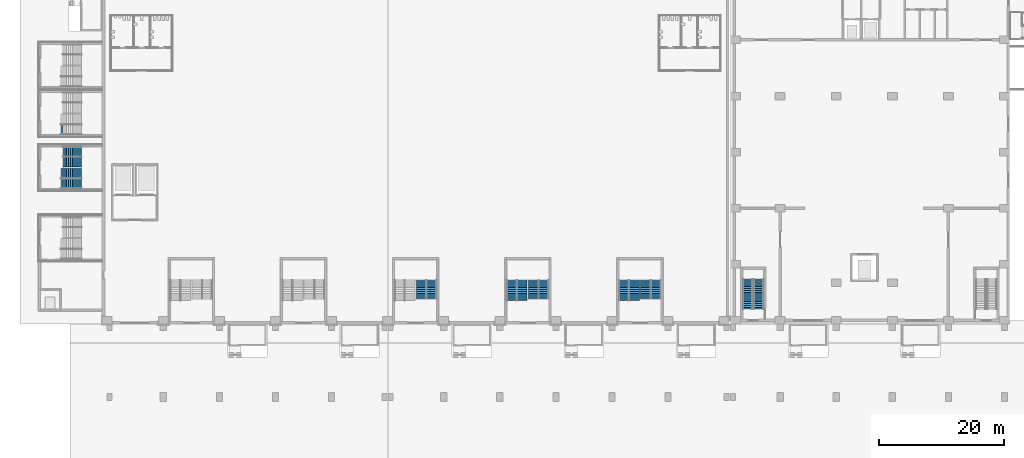
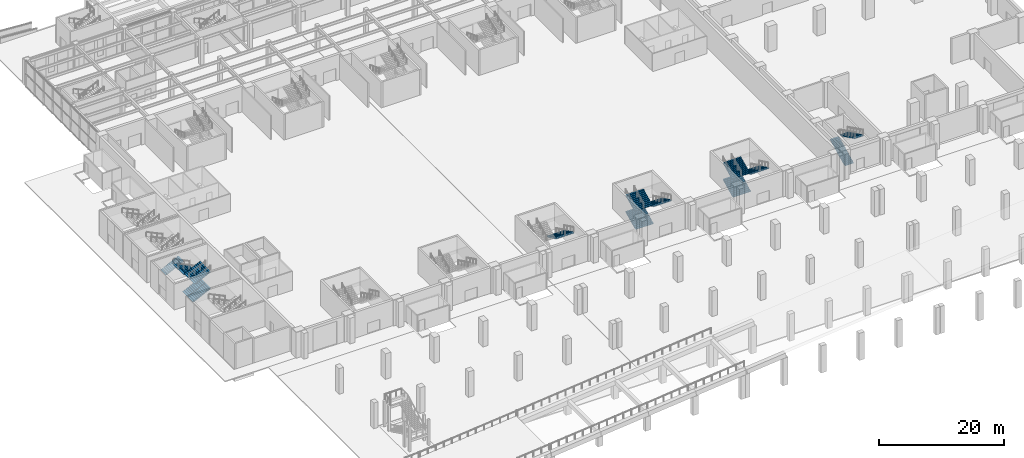
# One storey, part 55 of 77: 23 stair flights, 10 elements without a shape of their own.
"""IFC4 building model written with IfcOpenShell, lengths in metres."""

from ifc_helpers import new_model, si_unit, direction, frame, origin, place, context, subcontext, project, spatial, polyline, outline, extrude, material, type_object, element, aggregate, save


model = new_model("IFC4")

# Units and contexts
model_context = context("Model", 3, precision=1e-05, world=origin(), true_north=direction((0.0, 1.0)))
body_context = subcontext(model_context, "Body", "Model", "MODEL_VIEW")
ifc_project = project(units=[si_unit("LENGTHUNIT", "METRE"), si_unit("AREAUNIT", "SQUARE_METRE"), si_unit("VOLUMEUNIT", "CUBIC_METRE"), si_unit("PLANEANGLEUNIT", "RADIAN"), si_unit("MASSUNIT", "GRAM", prefix="KILO")], contexts=[model_context])

# Site, building, storey
site_placement = place(None, origin())
site = spatial("IfcSite", under=ifc_project, at=site_placement, CompositionType="ELEMENT")
building_placement = place(site_placement, origin())
building = spatial("IfcBuilding", under=site, at=building_placement, Name="Aravalli Gate Trade Fair Centre", CompositionType="ELEMENT")
storey_placement = place(building_placement, origin())
storey = spatial("IfcBuildingStorey", under=building, at=storey_placement, Name="L00", CompositionType="ELEMENT", Elevation=0.0)

# Stair, stair flights
ifc_material_1 = material(Name="Concrete M45", Category="concrete")
stair_type_1 = type_object("IfcStairType", Name="Congress exit stair", PredefinedType="HALF_TURN_STAIR", material=ifc_material_1)
stair_1_placement = place(storey_placement, origin())
stair_1 = element("IfcStair", 1, at=stair_1_placement, inside=storey, type_object=stair_type_1, Name="Stage Stair West L00", PredefinedType="HALF_TURN_STAIR")
stair_flight_type_1 = type_object("IfcStairFlightType", Name="Congress exit stair flight", PredefinedType="STRAIGHT", material=ifc_material_1)
stair_flight_1_placement = place(storey_placement, frame((108.800048828125, 47.800048828125, 0.0), z_axis=(0.0, 0.0, 1.0), x_axis=(0.0, 1.0, 0.0)))
stair_flight_1 = element("IfcStairFlight", 2, at=stair_flight_1_placement, type_object=stair_flight_type_1, Name="GX1 flight 1", NumberOfRisers=17, NumberOfTreads=16, PredefinedType="STRAIGHT", RiserHeight=0.147058824, TreadLength=0.3, context=body_context, shape_type="SweptSolid", body=[
    extrude(outline(polyline([(0.0, 0.0), (0.0, 0.14697265625), (0.300048828125, 0.14697265625), (0.300048828125, 0.294189453125), (0.60009765625, 0.294189453125), (0.60009765625, 0.441162109375), (0.89990234375, 0.441162109375), (0.89990234375, 0.588134765625), (1.199951171875, 0.588134765625), (1.199951171875, 0.7353515625), (1.5, 0.7353515625), (1.5, 0.88232421875), (1.800048828125, 0.88232421875), (1.800048828125, 1.029296875), (2.10009765625, 1.029296875), (2.10009765625, 1.176513671875), (2.39990234375, 1.176513671875), (2.39990234375, 1.323486328125), (2.699951171875, 1.323486328125), (2.699951171875, 1.470703125), (3.0, 1.470703125), (3.0, 1.61767578125), (3.300048828125, 1.61767578125), (3.300048828125, 1.7646484375), (3.60009765625, 1.7646484375), (3.60009765625, 1.911865234375), (3.89990234375, 1.911865234375), (3.89990234375, 2.058837890625), (4.199951171875, 2.058837890625), (4.199951171875, 2.205810546875), (4.5, 2.205810546875), (4.5, 2.35302734375), (4.800048828125, 2.35302734375), (4.800048828125, 2.5), (4.800048828125, 2.18603515625), (0.340576171875, 0.0), (0.0, 0.0)])), frame((0.0, 0.800048828125, 0.0), z_axis=(0.0, -1.0, 0.0), x_axis=(1.0, 0.0, 0.0)), (0.0, 0.0, 1.0), 1.60009765625),
])
stair_flight_2_placement = place(storey_placement, frame((110.60009765625, 52.60009765625, 2.5), z_axis=(0.0, 0.0, 1.0), x_axis=(0.0, -1.0, 0.0)))
stair_flight_2 = element("IfcStairFlight", 3, at=stair_flight_2_placement, type_object=stair_flight_type_1, Name="GX1 flight 2", NumberOfRisers=17, NumberOfTreads=16, PredefinedType="STRAIGHT", RiserHeight=0.147058824, TreadLength=0.3, context=body_context, shape_type="SweptSolid", body=[
    extrude(outline(polyline([(0.0, 0.0), (0.0, 0.14697265625), (0.300048828125, 0.14697265625), (0.300048828125, 0.294189453125), (0.60009765625, 0.294189453125), (0.60009765625, 0.441162109375), (0.89990234375, 0.441162109375), (0.89990234375, 0.588134765625), (1.199951171875, 0.588134765625), (1.199951171875, 0.7353515625), (1.5, 0.7353515625), (1.5, 0.88232421875), (1.800048828125, 0.88232421875), (1.800048828125, 1.029296875), (2.10009765625, 1.029296875), (2.10009765625, 1.176513671875), (2.39990234375, 1.176513671875), (2.39990234375, 1.323486328125), (2.699951171875, 1.323486328125), (2.699951171875, 1.470703125), (3.0, 1.470703125), (3.0, 1.61767578125), (3.300048828125, 1.61767578125), (3.300048828125, 1.7646484375), (3.60009765625, 1.7646484375), (3.60009765625, 1.911865234375), (3.89990234375, 1.911865234375), (3.89990234375, 2.058837890625), (4.199951171875, 2.058837890625), (4.199951171875, 2.205810546875), (4.5, 2.205810546875), (4.5, 2.35302734375), (4.800048828125, 2.35302734375), (4.800048828125, 2.5), (4.800048828125, 2.18603515625), (0.340576171875, 0.0), (0.0, 0.0)])), frame((0.0, 0.800048828125, 0.0), z_axis=(0.0, -1.0, 0.0), x_axis=(1.0, 0.0, 0.0)), (0.0, 0.0, 1.0), 1.60009765625),
])
aggregate(stair_1, [stair_flight_1, stair_flight_2])

# Stair, stair flight
ifc_material_2 = material(Name="Concrete M40", Category="concrete")
stair_type_2 = type_object("IfcStairType", Name="Hall exit stair, three flights", PredefinedType="HALF_TURN_STAIR", material=ifc_material_2)
stair_2_placement = place(storey_placement, origin())
stair_2 = element("IfcStair", 4, at=stair_2_placement, inside=storey, type_object=stair_type_2, Name="Exit stair ST-S06 lane A L00", PredefinedType="HALF_TURN_STAIR")
stair_flight_type_2 = type_object("IfcStairFlightType", Name="Hall exit stair flight", PredefinedType="STRAIGHT", material=ifc_material_2)
stair_flight_3_placement = place(storey_placement, frame((56.419921875, 52.449951171875, 1.7646484375), z_axis=(0.0, 0.0, 1.0), x_axis=(0.0, -1.0, 0.0)))
stair_flight_3 = element("IfcStairFlight", 5, at=stair_flight_3_placement, type_object=stair_flight_type_2, Name="ST-S06A flight 2", NumberOfRisers=11, NumberOfTreads=10, PredefinedType="STRAIGHT", RiserHeight=0.147058824, TreadLength=0.3, context=body_context, shape_type="SweptSolid", body=[
    extrude(outline(polyline([(0.0, 0.0), (0.0, 0.14697265625), (0.300048828125, 0.14697265625), (0.300048828125, 0.294189453125), (0.60009765625, 0.294189453125), (0.60009765625, 0.441162109375), (0.89990234375, 0.441162109375), (0.89990234375, 0.588134765625), (1.199951171875, 0.588134765625), (1.199951171875, 0.7353515625), (1.5, 0.7353515625), (1.5, 0.88232421875), (1.800048828125, 0.88232421875), (1.800048828125, 1.029296875), (2.10009765625, 1.029296875), (2.10009765625, 1.176513671875), (2.39990234375, 1.176513671875), (2.39990234375, 1.323486328125), (2.699951171875, 1.323486328125), (2.699951171875, 1.470703125), (3.0, 1.470703125), (3.0, 1.61767578125), (3.0, 1.3037109375), (0.340576171875, 0.0), (0.0, 0.0)])), frame((0.0, 0.81982421875, 0.0), z_axis=(0.0, -1.0, 0.0), x_axis=(1.0, 0.0, 0.0)), (0.0, 0.0, 1.0), 1.639892578125),
])
aggregate(stair_2, [stair_flight_3])

stair_3_placement = place(storey_placement, origin())
stair_3 = element("IfcStair", 6, at=stair_3_placement, inside=storey, type_object=stair_type_2, Name="Exit stair ST-S06 lane B L00", PredefinedType="HALF_TURN_STAIR")
stair_flight_4_placement = place(storey_placement, frame((58.080078125, 52.449951171875, 1.7646484375), z_axis=(0.0, 0.0, 1.0), x_axis=(0.0, -1.0, 0.0)))
stair_flight_4 = element("IfcStairFlight", 7, at=stair_flight_4_placement, type_object=stair_flight_type_2, Name="ST-S06B flight 2", NumberOfRisers=11, NumberOfTreads=10, PredefinedType="STRAIGHT", RiserHeight=0.147058824, TreadLength=0.3, context=body_context, shape_type="SweptSolid", body=[
    extrude(outline(polyline([(0.0, 0.0), (0.0, 0.14697265625), (0.300048828125, 0.14697265625), (0.300048828125, 0.294189453125), (0.60009765625, 0.294189453125), (0.60009765625, 0.441162109375), (0.89990234375, 0.441162109375), (0.89990234375, 0.588134765625), (1.199951171875, 0.588134765625), (1.199951171875, 0.7353515625), (1.5, 0.7353515625), (1.5, 0.88232421875), (1.800048828125, 0.88232421875), (1.800048828125, 1.029296875), (2.10009765625, 1.029296875), (2.10009765625, 1.176513671875), (2.39990234375, 1.176513671875), (2.39990234375, 1.323486328125), (2.699951171875, 1.323486328125), (2.699951171875, 1.470703125), (3.0, 1.470703125), (3.0, 1.61767578125), (3.0, 1.3037109375), (0.340576171875, 0.0), (0.0, 0.0)])), frame((0.0, 0.81982421875, 0.0), z_axis=(0.0, -1.0, 0.0), x_axis=(1.0, 0.0, 0.0)), (0.0, 0.0, 1.0), 1.639892578125),
])
aggregate(stair_3, [stair_flight_4])

# Stair, stair flights
stair_4_placement = place(storey_placement, origin())
stair_4 = element("IfcStair", 8, at=stair_4_placement, inside=storey, type_object=stair_type_2, Name="Exit stair ST-S08 lane A L00", PredefinedType="HALF_TURN_STAIR")
stair_flight_5_placement = place(storey_placement, frame((70.919921875, 49.14990234375, 0.0), z_axis=(0.0, 0.0, 1.0), x_axis=(0.0, 1.0, 0.0)))
stair_flight_5 = element("IfcStairFlight", 9, at=stair_flight_5_placement, type_object=stair_flight_type_2, Name="ST-S08A flight 1", NumberOfRisers=12, NumberOfTreads=11, PredefinedType="STRAIGHT", RiserHeight=0.147058824, TreadLength=0.3, context=body_context, shape_type="SweptSolid", body=[
    extrude(outline(polyline([(0.0, 0.0), (0.0, 0.14697265625), (0.300048828125, 0.14697265625), (0.300048828125, 0.294189453125), (0.60009765625, 0.294189453125), (0.60009765625, 0.441162109375), (0.89990234375, 0.441162109375), (0.89990234375, 0.588134765625), (1.199951171875, 0.588134765625), (1.199951171875, 0.7353515625), (1.5, 0.7353515625), (1.5, 0.88232421875), (1.800048828125, 0.88232421875), (1.800048828125, 1.029296875), (2.10009765625, 1.029296875), (2.10009765625, 1.176513671875), (2.39990234375, 1.176513671875), (2.39990234375, 1.323486328125), (2.699951171875, 1.323486328125), (2.699951171875, 1.470703125), (3.0, 1.470703125), (3.0, 1.61767578125), (3.300048828125, 1.61767578125), (3.300048828125, 1.7646484375), (3.300048828125, 1.45068359375), (0.340576171875, 0.0), (0.0, 0.0)])), frame((0.0, 0.81982421875, 0.0), z_axis=(0.0, -1.0, 0.0), x_axis=(1.0, 0.0, 0.0)), (0.0, 0.0, 1.0), 1.639892578125),
])
stair_flight_6_placement = place(storey_placement, frame((74.419921875, 52.449951171875, 1.7646484375), z_axis=(0.0, 0.0, 1.0), x_axis=(0.0, -1.0, 0.0)))
stair_flight_6 = element("IfcStairFlight", 10, at=stair_flight_6_placement, type_object=stair_flight_type_2, Name="ST-S08A flight 2", NumberOfRisers=11, NumberOfTreads=10, PredefinedType="STRAIGHT", RiserHeight=0.147058824, TreadLength=0.3, context=body_context, shape_type="SweptSolid", body=[
    extrude(outline(polyline([(0.0, 0.0), (0.0, 0.14697265625), (0.300048828125, 0.14697265625), (0.300048828125, 0.294189453125), (0.60009765625, 0.294189453125), (0.60009765625, 0.441162109375), (0.89990234375, 0.441162109375), (0.89990234375, 0.588134765625), (1.199951171875, 0.588134765625), (1.199951171875, 0.7353515625), (1.5, 0.7353515625), (1.5, 0.88232421875), (1.800048828125, 0.88232421875), (1.800048828125, 1.029296875), (2.10009765625, 1.029296875), (2.10009765625, 1.176513671875), (2.39990234375, 1.176513671875), (2.39990234375, 1.323486328125), (2.699951171875, 1.323486328125), (2.699951171875, 1.470703125), (3.0, 1.470703125), (3.0, 1.61767578125), (3.0, 1.3037109375), (0.340576171875, 0.0), (0.0, 0.0)])), frame((0.0, 0.81982421875, 0.0), z_axis=(0.0, -1.0, 0.0), x_axis=(1.0, 0.0, 0.0)), (0.0, 0.0, 1.0), 1.639892578125),
])
stair_flight_7_placement = place(storey_placement, frame((70.919921875, 49.449951171875, 3.38232421875), z_axis=(0.0, 0.0, 1.0), x_axis=(0.0, 1.0, 0.0)))
stair_flight_7 = element("IfcStairFlight", 11, at=stair_flight_7_placement, type_object=stair_flight_type_2, Name="ST-S08A flight 3", NumberOfRisers=11, NumberOfTreads=10, PredefinedType="STRAIGHT", RiserHeight=0.147058824, TreadLength=0.3, context=body_context, shape_type="SweptSolid", body=[
    extrude(outline(polyline([(0.0, 0.0), (0.0, 0.14697265625), (0.300048828125, 0.14697265625), (0.300048828125, 0.294189453125), (0.60009765625, 0.294189453125), (0.60009765625, 0.441162109375), (0.89990234375, 0.441162109375), (0.89990234375, 0.588134765625), (1.199951171875, 0.588134765625), (1.199951171875, 0.7353515625), (1.5, 0.7353515625), (1.5, 0.88232421875), (1.800048828125, 0.88232421875), (1.800048828125, 1.029296875), (2.10009765625, 1.029296875), (2.10009765625, 1.176513671875), (2.39990234375, 1.176513671875), (2.39990234375, 1.323486328125), (2.699951171875, 1.323486328125), (2.699951171875, 1.470703125), (3.0, 1.470703125), (3.0, 1.61767578125), (3.0, 1.3037109375), (0.340576171875, 0.0), (0.0, 0.0)])), frame((0.0, 0.81982421875, 0.0), z_axis=(0.0, -1.0, 0.0), x_axis=(1.0, 0.0, 0.0)), (0.0, 0.0, 1.0), 1.639892578125),
])
aggregate(stair_4, [stair_flight_5, stair_flight_6, stair_flight_7])

stair_5_placement = place(storey_placement, origin())
stair_5 = element("IfcStair", 12, at=stair_5_placement, inside=storey, type_object=stair_type_2, Name="Exit stair ST-S08 lane B L00", PredefinedType="HALF_TURN_STAIR")
stair_flight_8_placement = place(storey_placement, frame((72.580078125, 49.14990234375, 0.0), z_axis=(0.0, 0.0, 1.0), x_axis=(0.0, 1.0, 0.0)))
stair_flight_8 = element("IfcStairFlight", 13, at=stair_flight_8_placement, type_object=stair_flight_type_2, Name="ST-S08B flight 1", NumberOfRisers=12, NumberOfTreads=11, PredefinedType="STRAIGHT", RiserHeight=0.147058824, TreadLength=0.3, context=body_context, shape_type="SweptSolid", body=[
    extrude(outline(polyline([(0.0, 0.0), (0.0, 0.14697265625), (0.300048828125, 0.14697265625), (0.300048828125, 0.294189453125), (0.60009765625, 0.294189453125), (0.60009765625, 0.441162109375), (0.89990234375, 0.441162109375), (0.89990234375, 0.588134765625), (1.199951171875, 0.588134765625), (1.199951171875, 0.7353515625), (1.5, 0.7353515625), (1.5, 0.88232421875), (1.800048828125, 0.88232421875), (1.800048828125, 1.029296875), (2.10009765625, 1.029296875), (2.10009765625, 1.176513671875), (2.39990234375, 1.176513671875), (2.39990234375, 1.323486328125), (2.699951171875, 1.323486328125), (2.699951171875, 1.470703125), (3.0, 1.470703125), (3.0, 1.61767578125), (3.300048828125, 1.61767578125), (3.300048828125, 1.7646484375), (3.300048828125, 1.45068359375), (0.340576171875, 0.0), (0.0, 0.0)])), frame((0.0, 0.81982421875, 0.0), z_axis=(0.0, -1.0, 0.0), x_axis=(1.0, 0.0, 0.0)), (0.0, 0.0, 1.0), 1.639892578125),
])
stair_flight_9_placement = place(storey_placement, frame((76.080078125, 52.449951171875, 1.7646484375), z_axis=(0.0, 0.0, 1.0), x_axis=(0.0, -1.0, 0.0)))
stair_flight_9 = element("IfcStairFlight", 14, at=stair_flight_9_placement, type_object=stair_flight_type_2, Name="ST-S08B flight 2", NumberOfRisers=11, NumberOfTreads=10, PredefinedType="STRAIGHT", RiserHeight=0.147058824, TreadLength=0.3, context=body_context, shape_type="SweptSolid", body=[
    extrude(outline(polyline([(0.0, 0.0), (0.0, 0.14697265625), (0.300048828125, 0.14697265625), (0.300048828125, 0.294189453125), (0.60009765625, 0.294189453125), (0.60009765625, 0.441162109375), (0.89990234375, 0.441162109375), (0.89990234375, 0.588134765625), (1.199951171875, 0.588134765625), (1.199951171875, 0.7353515625), (1.5, 0.7353515625), (1.5, 0.88232421875), (1.800048828125, 0.88232421875), (1.800048828125, 1.029296875), (2.10009765625, 1.029296875), (2.10009765625, 1.176513671875), (2.39990234375, 1.176513671875), (2.39990234375, 1.323486328125), (2.699951171875, 1.323486328125), (2.699951171875, 1.470703125), (3.0, 1.470703125), (3.0, 1.61767578125), (3.0, 1.3037109375), (0.340576171875, 0.0), (0.0, 0.0)])), frame((0.0, 0.81982421875, 0.0), z_axis=(0.0, -1.0, 0.0), x_axis=(1.0, 0.0, 0.0)), (0.0, 0.0, 1.0), 1.639892578125),
])
stair_flight_10_placement = place(storey_placement, frame((72.580078125, 49.449951171875, 3.38232421875), z_axis=(0.0, 0.0, 1.0), x_axis=(0.0, 1.0, 0.0)))
stair_flight_10 = element("IfcStairFlight", 15, at=stair_flight_10_placement, type_object=stair_flight_type_2, Name="ST-S08B flight 3", NumberOfRisers=11, NumberOfTreads=10, PredefinedType="STRAIGHT", RiserHeight=0.147058824, TreadLength=0.3, context=body_context, shape_type="SweptSolid", body=[
    extrude(outline(polyline([(0.0, 0.0), (0.0, 0.14697265625), (0.300048828125, 0.14697265625), (0.300048828125, 0.294189453125), (0.60009765625, 0.294189453125), (0.60009765625, 0.441162109375), (0.89990234375, 0.441162109375), (0.89990234375, 0.588134765625), (1.199951171875, 0.588134765625), (1.199951171875, 0.7353515625), (1.5, 0.7353515625), (1.5, 0.88232421875), (1.800048828125, 0.88232421875), (1.800048828125, 1.029296875), (2.10009765625, 1.029296875), (2.10009765625, 1.176513671875), (2.39990234375, 1.176513671875), (2.39990234375, 1.323486328125), (2.699951171875, 1.323486328125), (2.699951171875, 1.470703125), (3.0, 1.470703125), (3.0, 1.61767578125), (3.0, 1.3037109375), (0.340576171875, 0.0), (0.0, 0.0)])), frame((0.0, 0.81982421875, 0.0), z_axis=(0.0, -1.0, 0.0), x_axis=(1.0, 0.0, 0.0)), (0.0, 0.0, 1.0), 1.639892578125),
])
aggregate(stair_5, [stair_flight_8, stair_flight_9, stair_flight_10])

stair_6_placement = place(storey_placement, origin())
stair_6 = element("IfcStair", 16, at=stair_6_placement, inside=storey, type_object=stair_type_2, Name="Exit stair ST-S10 lane A L00", PredefinedType="HALF_TURN_STAIR")
stair_flight_11_placement = place(storey_placement, frame((88.919921875, 49.14990234375, 0.0), z_axis=(0.0, 0.0, 1.0), x_axis=(0.0, 1.0, 0.0)))
stair_flight_11 = element("IfcStairFlight", 17, at=stair_flight_11_placement, type_object=stair_flight_type_2, Name="ST-S10A flight 1", NumberOfRisers=12, NumberOfTreads=11, PredefinedType="STRAIGHT", RiserHeight=0.147058824, TreadLength=0.3, context=body_context, shape_type="SweptSolid", body=[
    extrude(outline(polyline([(0.0, 0.0), (0.0, 0.14697265625), (0.300048828125, 0.14697265625), (0.300048828125, 0.294189453125), (0.60009765625, 0.294189453125), (0.60009765625, 0.441162109375), (0.89990234375, 0.441162109375), (0.89990234375, 0.588134765625), (1.199951171875, 0.588134765625), (1.199951171875, 0.7353515625), (1.5, 0.7353515625), (1.5, 0.88232421875), (1.800048828125, 0.88232421875), (1.800048828125, 1.029296875), (2.10009765625, 1.029296875), (2.10009765625, 1.176513671875), (2.39990234375, 1.176513671875), (2.39990234375, 1.323486328125), (2.699951171875, 1.323486328125), (2.699951171875, 1.470703125), (3.0, 1.470703125), (3.0, 1.61767578125), (3.300048828125, 1.61767578125), (3.300048828125, 1.7646484375), (3.300048828125, 1.45068359375), (0.340576171875, 0.0), (0.0, 0.0)])), frame((0.0, 0.81982421875, 0.0), z_axis=(0.0, -1.0, 0.0), x_axis=(1.0, 0.0, 0.0)), (0.0, 0.0, 1.0), 1.639892578125),
])
stair_flight_12_placement = place(storey_placement, frame((92.419921875, 52.449951171875, 1.7646484375), z_axis=(0.0, 0.0, 1.0), x_axis=(0.0, -1.0, 0.0)))
stair_flight_12 = element("IfcStairFlight", 18, at=stair_flight_12_placement, type_object=stair_flight_type_2, Name="ST-S10A flight 2", NumberOfRisers=11, NumberOfTreads=10, PredefinedType="STRAIGHT", RiserHeight=0.147058824, TreadLength=0.3, context=body_context, shape_type="SweptSolid", body=[
    extrude(outline(polyline([(0.0, 0.0), (0.0, 0.14697265625), (0.300048828125, 0.14697265625), (0.300048828125, 0.294189453125), (0.60009765625, 0.294189453125), (0.60009765625, 0.441162109375), (0.89990234375, 0.441162109375), (0.89990234375, 0.588134765625), (1.199951171875, 0.588134765625), (1.199951171875, 0.7353515625), (1.5, 0.7353515625), (1.5, 0.88232421875), (1.800048828125, 0.88232421875), (1.800048828125, 1.029296875), (2.10009765625, 1.029296875), (2.10009765625, 1.176513671875), (2.39990234375, 1.176513671875), (2.39990234375, 1.323486328125), (2.699951171875, 1.323486328125), (2.699951171875, 1.470703125), (3.0, 1.470703125), (3.0, 1.61767578125), (3.0, 1.3037109375), (0.340576171875, 0.0), (0.0, 0.0)])), frame((0.0, 0.81982421875, 0.0), z_axis=(0.0, -1.0, 0.0), x_axis=(1.0, 0.0, 0.0)), (0.0, 0.0, 1.0), 1.639892578125),
])
stair_flight_13_placement = place(storey_placement, frame((88.919921875, 49.449951171875, 3.38232421875), z_axis=(0.0, 0.0, 1.0), x_axis=(0.0, 1.0, 0.0)))
stair_flight_13 = element("IfcStairFlight", 19, at=stair_flight_13_placement, type_object=stair_flight_type_2, Name="ST-S10A flight 3", NumberOfRisers=11, NumberOfTreads=10, PredefinedType="STRAIGHT", RiserHeight=0.147058824, TreadLength=0.3, context=body_context, shape_type="SweptSolid", body=[
    extrude(outline(polyline([(0.0, 0.0), (0.0, 0.14697265625), (0.300048828125, 0.14697265625), (0.300048828125, 0.294189453125), (0.60009765625, 0.294189453125), (0.60009765625, 0.441162109375), (0.89990234375, 0.441162109375), (0.89990234375, 0.588134765625), (1.199951171875, 0.588134765625), (1.199951171875, 0.7353515625), (1.5, 0.7353515625), (1.5, 0.88232421875), (1.800048828125, 0.88232421875), (1.800048828125, 1.029296875), (2.10009765625, 1.029296875), (2.10009765625, 1.176513671875), (2.39990234375, 1.176513671875), (2.39990234375, 1.323486328125), (2.699951171875, 1.323486328125), (2.699951171875, 1.470703125), (3.0, 1.470703125), (3.0, 1.61767578125), (3.0, 1.3037109375), (0.340576171875, 0.0), (0.0, 0.0)])), frame((0.0, 0.81982421875, 0.0), z_axis=(0.0, -1.0, 0.0), x_axis=(1.0, 0.0, 0.0)), (0.0, 0.0, 1.0), 1.639892578125),
])
aggregate(stair_6, [stair_flight_11, stair_flight_12, stair_flight_13])

stair_7_placement = place(storey_placement, origin())
stair_7 = element("IfcStair", 20, at=stair_7_placement, inside=storey, type_object=stair_type_2, Name="Exit stair ST-S10 lane B L00", PredefinedType="HALF_TURN_STAIR")
stair_flight_14_placement = place(storey_placement, frame((90.580078125, 49.14990234375, 0.0), z_axis=(0.0, 0.0, 1.0), x_axis=(0.0, 1.0, 0.0)))
stair_flight_14 = element("IfcStairFlight", 21, at=stair_flight_14_placement, type_object=stair_flight_type_2, Name="ST-S10B flight 1", NumberOfRisers=12, NumberOfTreads=11, PredefinedType="STRAIGHT", RiserHeight=0.147058824, TreadLength=0.3, context=body_context, shape_type="SweptSolid", body=[
    extrude(outline(polyline([(0.0, 0.0), (0.0, 0.14697265625), (0.300048828125, 0.14697265625), (0.300048828125, 0.294189453125), (0.60009765625, 0.294189453125), (0.60009765625, 0.441162109375), (0.89990234375, 0.441162109375), (0.89990234375, 0.588134765625), (1.199951171875, 0.588134765625), (1.199951171875, 0.7353515625), (1.5, 0.7353515625), (1.5, 0.88232421875), (1.800048828125, 0.88232421875), (1.800048828125, 1.029296875), (2.10009765625, 1.029296875), (2.10009765625, 1.176513671875), (2.39990234375, 1.176513671875), (2.39990234375, 1.323486328125), (2.699951171875, 1.323486328125), (2.699951171875, 1.470703125), (3.0, 1.470703125), (3.0, 1.61767578125), (3.300048828125, 1.61767578125), (3.300048828125, 1.7646484375), (3.300048828125, 1.45068359375), (0.340576171875, 0.0), (0.0, 0.0)])), frame((0.0, 0.81982421875, 0.0), z_axis=(0.0, -1.0, 0.0), x_axis=(1.0, 0.0, 0.0)), (0.0, 0.0, 1.0), 1.639892578125),
])
stair_flight_15_placement = place(storey_placement, frame((94.080078125, 52.449951171875, 1.7646484375), z_axis=(0.0, 0.0, 1.0), x_axis=(0.0, -1.0, 0.0)))
stair_flight_15 = element("IfcStairFlight", 22, at=stair_flight_15_placement, type_object=stair_flight_type_2, Name="ST-S10B flight 2", NumberOfRisers=11, NumberOfTreads=10, PredefinedType="STRAIGHT", RiserHeight=0.147058824, TreadLength=0.3, context=body_context, shape_type="SweptSolid", body=[
    extrude(outline(polyline([(0.0, 0.0), (0.0, 0.14697265625), (0.300048828125, 0.14697265625), (0.300048828125, 0.294189453125), (0.60009765625, 0.294189453125), (0.60009765625, 0.441162109375), (0.89990234375, 0.441162109375), (0.89990234375, 0.588134765625), (1.199951171875, 0.588134765625), (1.199951171875, 0.7353515625), (1.5, 0.7353515625), (1.5, 0.88232421875), (1.800048828125, 0.88232421875), (1.800048828125, 1.029296875), (2.10009765625, 1.029296875), (2.10009765625, 1.176513671875), (2.39990234375, 1.176513671875), (2.39990234375, 1.323486328125), (2.699951171875, 1.323486328125), (2.699951171875, 1.470703125), (3.0, 1.470703125), (3.0, 1.61767578125), (3.0, 1.3037109375), (0.340576171875, 0.0), (0.0, 0.0)])), frame((0.0, 0.81982421875, 0.0), z_axis=(0.0, -1.0, 0.0), x_axis=(1.0, 0.0, 0.0)), (0.0, 0.0, 1.0), 1.639892578125),
])
stair_flight_16_placement = place(storey_placement, frame((90.580078125, 49.449951171875, 3.38232421875), z_axis=(0.0, 0.0, 1.0), x_axis=(0.0, 1.0, 0.0)))
stair_flight_16 = element("IfcStairFlight", 23, at=stair_flight_16_placement, type_object=stair_flight_type_2, Name="ST-S10B flight 3", NumberOfRisers=11, NumberOfTreads=10, PredefinedType="STRAIGHT", RiserHeight=0.147058824, TreadLength=0.3, context=body_context, shape_type="SweptSolid", body=[
    extrude(outline(polyline([(0.0, 0.0), (0.0, 0.14697265625), (0.300048828125, 0.14697265625), (0.300048828125, 0.294189453125), (0.60009765625, 0.294189453125), (0.60009765625, 0.441162109375), (0.89990234375, 0.441162109375), (0.89990234375, 0.588134765625), (1.199951171875, 0.588134765625), (1.199951171875, 0.7353515625), (1.5, 0.7353515625), (1.5, 0.88232421875), (1.800048828125, 0.88232421875), (1.800048828125, 1.029296875), (2.10009765625, 1.029296875), (2.10009765625, 1.176513671875), (2.39990234375, 1.176513671875), (2.39990234375, 1.323486328125), (2.699951171875, 1.323486328125), (2.699951171875, 1.470703125), (3.0, 1.470703125), (3.0, 1.61767578125), (3.0, 1.3037109375), (0.340576171875, 0.0), (0.0, 0.0)])), frame((0.0, 0.81982421875, 0.0), z_axis=(0.0, -1.0, 0.0), x_axis=(1.0, 0.0, 0.0)), (0.0, 0.0, 1.0), 1.639892578125),
])
aggregate(stair_7, [stair_flight_14, stair_flight_15, stair_flight_16])

# Stair, stair flight
stair_8_placement = place(storey_placement, origin())
stair_8 = element("IfcStair", 24, at=stair_8_placement, inside=storey, type_object=stair_type_2, Name="Exit stair ST-W2 lane A L00", PredefinedType="HALF_TURN_STAIR")
stair_flight_17_placement = place(storey_placement, frame((-1.39990234375, 76.6201171875, 0.0), z_axis=(0.0, 0.0, 1.0), x_axis=(1.0, 0.0, 0.0)))
stair_flight_17 = element("IfcStairFlight", 25, at=stair_flight_17_placement, type_object=stair_flight_type_2, Name="ST-W2A flight 1", NumberOfRisers=12, NumberOfTreads=11, PredefinedType="STRAIGHT", RiserHeight=0.147058824, TreadLength=0.3, context=body_context, shape_type="SweptSolid", body=[
    extrude(outline(polyline([(0.0, 0.0), (0.0, 0.14697265625), (0.300048828125, 0.14697265625), (0.300048828125, 0.294189453125), (0.60009765625, 0.294189453125), (0.60009765625, 0.441162109375), (0.89990234375, 0.441162109375), (0.89990234375, 0.588134765625), (1.199951171875, 0.588134765625), (1.199951171875, 0.7353515625), (1.5, 0.7353515625), (1.5, 0.88232421875), (1.800048828125, 0.88232421875), (1.800048828125, 1.029296875), (2.10009765625, 1.029296875), (2.10009765625, 1.176513671875), (2.39990234375, 1.176513671875), (2.39990234375, 1.323486328125), (2.699951171875, 1.323486328125), (2.699951171875, 1.470703125), (3.0, 1.470703125), (3.0, 1.61767578125), (3.300048828125, 1.61767578125), (3.300048828125, 1.7646484375), (3.300048828125, 1.45068359375), (0.340576171875, 0.0), (0.0, 0.0)])), frame((0.0, 0.81982421875, 0.0), z_axis=(0.0, -1.0, 0.0), x_axis=(1.0, 0.0, 0.0)), (0.0, 0.0, 1.0), 1.639892578125),
])
aggregate(stair_8, [stair_flight_17])

# Stair, stair flights
stair_9_placement = place(storey_placement, origin())
stair_9 = element("IfcStair", 26, at=stair_9_placement, inside=storey, type_object=stair_type_2, Name="Exit stair ST-W4 lane A L00", PredefinedType="HALF_TURN_STAIR")
stair_flight_18_placement = place(storey_placement, frame((-1.39990234375, 67.919921875, 0.0), z_axis=(0.0, 0.0, 1.0), x_axis=(1.0, 0.0, 0.0)))
stair_flight_18 = element("IfcStairFlight", 27, at=stair_flight_18_placement, type_object=stair_flight_type_2, Name="ST-W4A flight 1", NumberOfRisers=12, NumberOfTreads=11, PredefinedType="STRAIGHT", RiserHeight=0.147058824, TreadLength=0.3, context=body_context, shape_type="SweptSolid", body=[
    extrude(outline(polyline([(0.0, 0.0), (0.0, 0.14697265625), (0.300048828125, 0.14697265625), (0.300048828125, 0.294189453125), (0.60009765625, 0.294189453125), (0.60009765625, 0.441162109375), (0.89990234375, 0.441162109375), (0.89990234375, 0.588134765625), (1.199951171875, 0.588134765625), (1.199951171875, 0.7353515625), (1.5, 0.7353515625), (1.5, 0.88232421875), (1.800048828125, 0.88232421875), (1.800048828125, 1.029296875), (2.10009765625, 1.029296875), (2.10009765625, 1.176513671875), (2.39990234375, 1.176513671875), (2.39990234375, 1.323486328125), (2.699951171875, 1.323486328125), (2.699951171875, 1.470703125), (3.0, 1.470703125), (3.0, 1.61767578125), (3.300048828125, 1.61767578125), (3.300048828125, 1.7646484375), (3.300048828125, 1.45068359375), (0.340576171875, 0.0), (0.0, 0.0)])), frame((0.0, 0.81982421875, 0.0), z_axis=(0.0, -1.0, 0.0), x_axis=(1.0, 0.0, 0.0)), (0.0, 0.0, 1.0), 1.639892578125),
])
stair_flight_19_placement = place(storey_placement, frame((1.89990234375, 71.419921875, 1.7646484375), z_axis=(0.0, 0.0, 1.0), x_axis=(-1.0, 0.0, 0.0)))
stair_flight_19 = element("IfcStairFlight", 28, at=stair_flight_19_placement, type_object=stair_flight_type_2, Name="ST-W4A flight 2", NumberOfRisers=11, NumberOfTreads=10, PredefinedType="STRAIGHT", RiserHeight=0.147058824, TreadLength=0.3, context=body_context, shape_type="SweptSolid", body=[
    extrude(outline(polyline([(0.0, 0.0), (0.0, 0.14697265625), (0.300048828125, 0.14697265625), (0.300048828125, 0.294189453125), (0.60009765625, 0.294189453125), (0.60009765625, 0.441162109375), (0.89990234375, 0.441162109375), (0.89990234375, 0.588134765625), (1.199951171875, 0.588134765625), (1.199951171875, 0.7353515625), (1.5, 0.7353515625), (1.5, 0.88232421875), (1.800048828125, 0.88232421875), (1.800048828125, 1.029296875), (2.10009765625, 1.029296875), (2.10009765625, 1.176513671875), (2.39990234375, 1.176513671875), (2.39990234375, 1.323486328125), (2.699951171875, 1.323486328125), (2.699951171875, 1.470703125), (3.0, 1.470703125), (3.0, 1.61767578125), (3.0, 1.3037109375), (0.340576171875, 0.0), (0.0, 0.0)])), frame((0.0, 0.81982421875, 0.0), z_axis=(0.0, -1.0, 0.0), x_axis=(1.0, 0.0, 0.0)), (0.0, 0.0, 1.0), 1.639892578125),
])
stair_flight_20_placement = place(storey_placement, frame((-1.10009765625, 67.919921875, 3.38232421875), z_axis=(0.0, 0.0, 1.0), x_axis=(1.0, 0.0, 0.0)))
stair_flight_20 = element("IfcStairFlight", 29, at=stair_flight_20_placement, type_object=stair_flight_type_2, Name="ST-W4A flight 3", NumberOfRisers=11, NumberOfTreads=10, PredefinedType="STRAIGHT", RiserHeight=0.147058824, TreadLength=0.3, context=body_context, shape_type="SweptSolid", body=[
    extrude(outline(polyline([(0.0, 0.0), (0.0, 0.14697265625), (0.300048828125, 0.14697265625), (0.300048828125, 0.294189453125), (0.60009765625, 0.294189453125), (0.60009765625, 0.441162109375), (0.89990234375, 0.441162109375), (0.89990234375, 0.588134765625), (1.199951171875, 0.588134765625), (1.199951171875, 0.7353515625), (1.5, 0.7353515625), (1.5, 0.88232421875), (1.800048828125, 0.88232421875), (1.800048828125, 1.029296875), (2.10009765625, 1.029296875), (2.10009765625, 1.176513671875), (2.39990234375, 1.176513671875), (2.39990234375, 1.323486328125), (2.699951171875, 1.323486328125), (2.699951171875, 1.470703125), (3.0, 1.470703125), (3.0, 1.61767578125), (3.0, 1.3037109375), (0.340576171875, 0.0), (0.0, 0.0)])), frame((0.0, 0.81982421875, 0.0), z_axis=(0.0, -1.0, 0.0), x_axis=(1.0, 0.0, 0.0)), (0.0, 0.0, 1.0), 1.639892578125),
])
aggregate(stair_9, [stair_flight_18, stair_flight_19, stair_flight_20])

stair_10_placement = place(storey_placement, origin())
stair_10 = element("IfcStair", 30, at=stair_10_placement, inside=storey, type_object=stair_type_2, Name="Exit stair ST-W4 lane B L00", PredefinedType="HALF_TURN_STAIR")
stair_flight_21_placement = place(storey_placement, frame((-1.39990234375, 69.580078125, 0.0), z_axis=(0.0, 0.0, 1.0), x_axis=(1.0, 0.0, 0.0)))
stair_flight_21 = element("IfcStairFlight", 31, at=stair_flight_21_placement, type_object=stair_flight_type_2, Name="ST-W4B flight 1", NumberOfRisers=12, NumberOfTreads=11, PredefinedType="STRAIGHT", RiserHeight=0.147058824, TreadLength=0.3, context=body_context, shape_type="SweptSolid", body=[
    extrude(outline(polyline([(0.0, 0.0), (0.0, 0.14697265625), (0.300048828125, 0.14697265625), (0.300048828125, 0.294189453125), (0.60009765625, 0.294189453125), (0.60009765625, 0.441162109375), (0.89990234375, 0.441162109375), (0.89990234375, 0.588134765625), (1.199951171875, 0.588134765625), (1.199951171875, 0.7353515625), (1.5, 0.7353515625), (1.5, 0.88232421875), (1.800048828125, 0.88232421875), (1.800048828125, 1.029296875), (2.10009765625, 1.029296875), (2.10009765625, 1.176513671875), (2.39990234375, 1.176513671875), (2.39990234375, 1.323486328125), (2.699951171875, 1.323486328125), (2.699951171875, 1.470703125), (3.0, 1.470703125), (3.0, 1.61767578125), (3.300048828125, 1.61767578125), (3.300048828125, 1.7646484375), (3.300048828125, 1.45068359375), (0.340576171875, 0.0), (0.0, 0.0)])), frame((0.0, 0.81982421875, 0.0), z_axis=(0.0, -1.0, 0.0), x_axis=(1.0, 0.0, 0.0)), (0.0, 0.0, 1.0), 1.639892578125),
])
stair_flight_22_placement = place(storey_placement, frame((1.89990234375, 73.080078125, 1.7646484375), z_axis=(0.0, 0.0, 1.0), x_axis=(-1.0, 0.0, 0.0)))
stair_flight_22 = element("IfcStairFlight", 32, at=stair_flight_22_placement, type_object=stair_flight_type_2, Name="ST-W4B flight 2", NumberOfRisers=11, NumberOfTreads=10, PredefinedType="STRAIGHT", RiserHeight=0.147058824, TreadLength=0.3, context=body_context, shape_type="SweptSolid", body=[
    extrude(outline(polyline([(0.0, 0.0), (0.0, 0.14697265625), (0.300048828125, 0.14697265625), (0.300048828125, 0.294189453125), (0.60009765625, 0.294189453125), (0.60009765625, 0.441162109375), (0.89990234375, 0.441162109375), (0.89990234375, 0.588134765625), (1.199951171875, 0.588134765625), (1.199951171875, 0.7353515625), (1.5, 0.7353515625), (1.5, 0.88232421875), (1.800048828125, 0.88232421875), (1.800048828125, 1.029296875), (2.10009765625, 1.029296875), (2.10009765625, 1.176513671875), (2.39990234375, 1.176513671875), (2.39990234375, 1.323486328125), (2.699951171875, 1.323486328125), (2.699951171875, 1.470703125), (3.0, 1.470703125), (3.0, 1.61767578125), (3.0, 1.3037109375), (0.340576171875, 0.0), (0.0, 0.0)])), frame((0.0, 0.81982421875, 0.0), z_axis=(0.0, -1.0, 0.0), x_axis=(1.0, 0.0, 0.0)), (0.0, 0.0, 1.0), 1.639892578125),
])
stair_flight_23_placement = place(storey_placement, frame((-1.10009765625, 69.580078125, 3.38232421875), z_axis=(0.0, 0.0, 1.0), x_axis=(1.0, 0.0, 0.0)))
stair_flight_23 = element("IfcStairFlight", 33, at=stair_flight_23_placement, type_object=stair_flight_type_2, Name="ST-W4B flight 3", NumberOfRisers=11, NumberOfTreads=10, PredefinedType="STRAIGHT", RiserHeight=0.147058824, TreadLength=0.3, context=body_context, shape_type="SweptSolid", body=[
    extrude(outline(polyline([(0.0, 0.0), (0.0, 0.14697265625), (0.300048828125, 0.14697265625), (0.300048828125, 0.294189453125), (0.60009765625, 0.294189453125), (0.60009765625, 0.441162109375), (0.89990234375, 0.441162109375), (0.89990234375, 0.588134765625), (1.199951171875, 0.588134765625), (1.199951171875, 0.7353515625), (1.5, 0.7353515625), (1.5, 0.88232421875), (1.800048828125, 0.88232421875), (1.800048828125, 1.029296875), (2.10009765625, 1.029296875), (2.10009765625, 1.176513671875), (2.39990234375, 1.176513671875), (2.39990234375, 1.323486328125), (2.699951171875, 1.323486328125), (2.699951171875, 1.470703125), (3.0, 1.470703125), (3.0, 1.61767578125), (3.0, 1.3037109375), (0.340576171875, 0.0), (0.0, 0.0)])), frame((0.0, 0.81982421875, 0.0), z_axis=(0.0, -1.0, 0.0), x_axis=(1.0, 0.0, 0.0)), (0.0, 0.0, 1.0), 1.639892578125),
])
aggregate(stair_10, [stair_flight_21, stair_flight_22, stair_flight_23])

save(model, "model.ifc")
